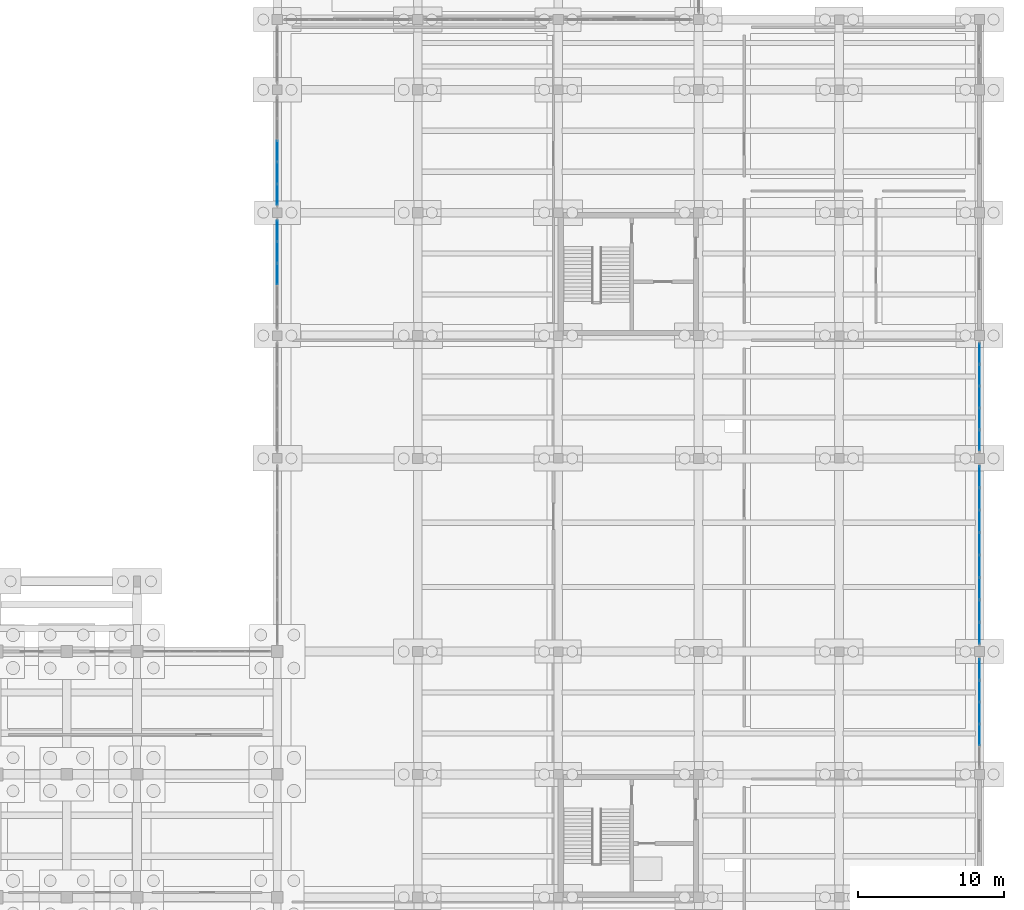
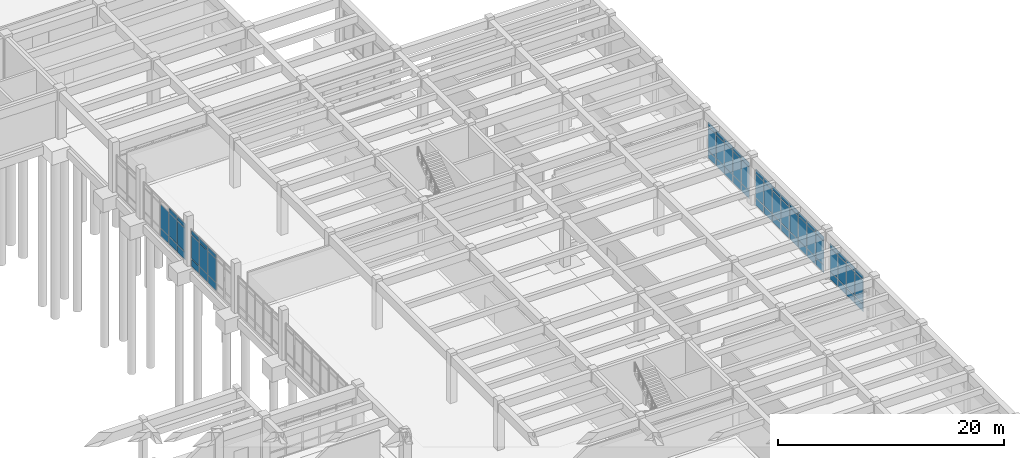
# One storey, part 64 of 102: 68 plates, 5 elements without a shape of their own.
"""IFC4 building model written with IfcOpenShell, lengths in metres."""

from ifc_helpers import new_model, si_unit, direction, frame, origin, origin_2d, place, context, subcontext, project, spatial, rectangle, extrude, material, layer, layer_set, type_object, element, aggregate, save


model = new_model("IFC4")

# Units and contexts
model_context = context("Model", 3, precision=1e-05, world=origin(), true_north=direction((0.0, 1.0)))
body_context = subcontext(model_context, "Body", "Model", "MODEL_VIEW")
ifc_project = project(units=[si_unit("LENGTHUNIT", "METRE"), si_unit("AREAUNIT", "SQUARE_METRE"), si_unit("VOLUMEUNIT", "CUBIC_METRE"), si_unit("PLANEANGLEUNIT", "RADIAN"), si_unit("MASSUNIT", "GRAM", prefix="KILO")], contexts=[model_context])

# Site, building, storey
site_placement = place(None, origin())
site = spatial("IfcSite", under=ifc_project, at=site_placement, CompositionType="ELEMENT")
building_placement = place(site_placement, origin())
building = spatial("IfcBuilding", under=site, at=building_placement, Name="Kolvemor Railside Polytechnic", CompositionType="ELEMENT")
storey_placement = place(building_placement, origin())
storey = spatial("IfcBuildingStorey", under=building, at=storey_placement, Name="L00", CompositionType="ELEMENT", Elevation=0.0)

# Curtain wall, plates
ifc_material_1 = material(Name="Anodised marine aluminium and laminated low-E glass", Category="aluminium")
ifc_layer_1 = layer(ifc_material_1, 0.179931640625, Name="CW-UNIT-STD")
ifc_layer_set_1 = layer_set([ifc_layer_1], Name="Anodised marine aluminium and laminated low-E glass")
curtain_wall_type = type_object("IfcCurtainWallType", Name="CW-UNIT-STD", PredefinedType="USERDEFINED", material=ifc_layer_set_1)
curtain_wall_1_placement = place(storey_placement, origin())
curtain_wall_1 = element("IfcCurtainWall", 1, at=curtain_wall_1_placement, inside=storey, type_object=curtain_wall_type, Name="Curtain Wall L00-049", ObjectType="UNITISED CURTAIN WALL", PredefinedType="USERDEFINED")
ifc_material_2 = material(Name="Hurricane-laminated solar-control low-E glass", Category="glass")
ifc_layer_2 = layer(ifc_material_2, 0.0400390625, Name="CWP-GLZ-10")
ifc_layer_set_2 = layer_set([ifc_layer_2], Name="Hurricane-laminated solar-control low-E glass")
plate_type_1 = type_object("IfcPlateType", Name="CWP-GLZ-10", PredefinedType="CURTAIN_PANEL", material=ifc_layer_set_2)
plate_1_placement = place(storey_placement, frame((182.39990234375, 32.7080078125, 0.074951171875), z_axis=(0.0, 0.0, 1.0), x_axis=(0.0, 1.0, 0.0)))
plate_1 = element("IfcPlate", 2, at=plate_1_placement, type_object=plate_type_1, Name="CW-STD panel 2.1", PredefinedType="CURTAIN_PANEL", context=body_context, shape_type="SweptSolid", body=[
    extrude(rectangle(XDim=1.4169921875, YDim=0.0400390625, at=origin_2d()), origin(), (0.0, 0.0, 1.0), 0.78759765625),
])
plate_2_placement = place(storey_placement, frame((182.39990234375, 32.7080078125, 0.9375), z_axis=(0.0, 0.0, 1.0), x_axis=(0.0, 1.0, 0.0)))
plate_2 = element("IfcPlate", 3, at=plate_2_placement, type_object=plate_type_1, Name="CW-STD panel 2.2", PredefinedType="CURTAIN_PANEL", context=body_context, shape_type="SweptSolid", body=[
    extrude(rectangle(XDim=1.4169921875, YDim=0.0400390625, at=origin_2d()), origin(), (0.0, 0.0, 1.0), 2.514892578125),
])
plate_3_placement = place(storey_placement, frame((182.39990234375, 32.7080078125, 3.527587890625), z_axis=(0.0, 0.0, 1.0), x_axis=(0.0, 1.0, 0.0)))
plate_3 = element("IfcPlate", 4, at=plate_3_placement, type_object=plate_type_1, Name="CW-STD panel 2.3", PredefinedType="CURTAIN_PANEL", context=body_context, shape_type="SweptSolid", body=[
    extrude(rectangle(XDim=1.4169921875, YDim=0.0400390625, at=origin_2d()), origin(), (0.0, 0.0, 1.0), 0.4375),
])
plate_4_placement = place(storey_placement, frame((182.39990234375, 34.199951171875, 0.074951171875), z_axis=(0.0, 0.0, 1.0), x_axis=(0.0, 1.0, 0.0)))
plate_4 = element("IfcPlate", 5, at=plate_4_placement, type_object=plate_type_1, Name="CW-STD panel 3.1", PredefinedType="CURTAIN_PANEL", context=body_context, shape_type="SweptSolid", body=[
    extrude(rectangle(XDim=1.4169921875, YDim=0.0400390625, at=origin_2d()), origin(), (0.0, 0.0, 1.0), 0.78759765625),
])
plate_5_placement = place(storey_placement, frame((182.39990234375, 34.199951171875, 0.9375), z_axis=(0.0, 0.0, 1.0), x_axis=(0.0, 1.0, 0.0)))
plate_5 = element("IfcPlate", 6, at=plate_5_placement, type_object=plate_type_1, Name="CW-STD panel 3.2", PredefinedType="CURTAIN_PANEL", context=body_context, shape_type="SweptSolid", body=[
    extrude(rectangle(XDim=1.4169921875, YDim=0.0400390625, at=origin_2d()), origin(), (0.0, 0.0, 1.0), 2.514892578125),
])
plate_6_placement = place(storey_placement, frame((182.39990234375, 34.199951171875, 3.527587890625), z_axis=(0.0, 0.0, 1.0), x_axis=(0.0, 1.0, 0.0)))
plate_6 = element("IfcPlate", 7, at=plate_6_placement, type_object=plate_type_1, Name="CW-STD panel 3.3", PredefinedType="CURTAIN_PANEL", context=body_context, shape_type="SweptSolid", body=[
    extrude(rectangle(XDim=1.4169921875, YDim=0.0400390625, at=origin_2d()), origin(), (0.0, 0.0, 1.0), 0.4375),
])
plate_7_placement = place(storey_placement, frame((182.39990234375, 35.69189453125, 0.074951171875), z_axis=(0.0, 0.0, 1.0), x_axis=(0.0, 1.0, 0.0)))
plate_7 = element("IfcPlate", 8, at=plate_7_placement, type_object=plate_type_1, Name="CW-STD panel 4.1", PredefinedType="CURTAIN_PANEL", context=body_context, shape_type="SweptSolid", body=[
    extrude(rectangle(XDim=1.4169921875, YDim=0.0400390625, at=origin_2d()), origin(), (0.0, 0.0, 1.0), 0.78759765625),
])
plate_8_placement = place(storey_placement, frame((182.39990234375, 35.69189453125, 0.9375), z_axis=(0.0, 0.0, 1.0), x_axis=(0.0, 1.0, 0.0)))
plate_8 = element("IfcPlate", 9, at=plate_8_placement, type_object=plate_type_1, Name="CW-STD panel 4.2", PredefinedType="CURTAIN_PANEL", context=body_context, shape_type="SweptSolid", body=[
    extrude(rectangle(XDim=1.4169921875, YDim=0.0400390625, at=origin_2d()), origin(), (0.0, 0.0, 1.0), 2.514892578125),
])
plate_9_placement = place(storey_placement, frame((182.39990234375, 35.69189453125, 3.527587890625), z_axis=(0.0, 0.0, 1.0), x_axis=(0.0, 1.0, 0.0)))
plate_9 = element("IfcPlate", 10, at=plate_9_placement, type_object=plate_type_1, Name="CW-STD panel 4.3", PredefinedType="CURTAIN_PANEL", context=body_context, shape_type="SweptSolid", body=[
    extrude(rectangle(XDim=1.4169921875, YDim=0.0400390625, at=origin_2d()), origin(), (0.0, 0.0, 1.0), 0.4375),
])
plate_10_placement = place(storey_placement, frame((182.39990234375, 37.165283203125, 0.074951171875), z_axis=(0.0, 0.0, 1.0), x_axis=(0.0, 1.0, 0.0)))
plate_10 = element("IfcPlate", 11, at=plate_10_placement, type_object=plate_type_1, Name="CW-STD panel 5.1", PredefinedType="CURTAIN_PANEL", context=body_context, shape_type="SweptSolid", body=[
    extrude(rectangle(XDim=1.37939453125, YDim=0.0400390625, at=origin_2d()), origin(), (0.0, 0.0, 1.0), 0.78759765625),
])
plate_11_placement = place(storey_placement, frame((182.39990234375, 37.165283203125, 0.9375), z_axis=(0.0, 0.0, 1.0), x_axis=(0.0, 1.0, 0.0)))
plate_11 = element("IfcPlate", 12, at=plate_11_placement, type_object=plate_type_1, Name="CW-STD panel 5.2", PredefinedType="CURTAIN_PANEL", context=body_context, shape_type="SweptSolid", body=[
    extrude(rectangle(XDim=1.37939453125, YDim=0.0400390625, at=origin_2d()), origin(), (0.0, 0.0, 1.0), 2.514892578125),
])
plate_12_placement = place(storey_placement, frame((182.39990234375, 37.165283203125, 3.527587890625), z_axis=(0.0, 0.0, 1.0), x_axis=(0.0, 1.0, 0.0)))
plate_12 = element("IfcPlate", 13, at=plate_12_placement, type_object=plate_type_1, Name="CW-STD panel 5.3", PredefinedType="CURTAIN_PANEL", context=body_context, shape_type="SweptSolid", body=[
    extrude(rectangle(XDim=1.37939453125, YDim=0.0400390625, at=origin_2d()), origin(), (0.0, 0.0, 1.0), 0.4375),
])
aggregate(curtain_wall_1, [plate_1, plate_2, plate_3, plate_4, plate_5, plate_6, plate_7, plate_8, plate_9, plate_10, plate_11, plate_12])

curtain_wall_2_placement = place(storey_placement, origin())
curtain_wall_2 = element("IfcCurtainWall", 14, at=curtain_wall_2_placement, inside=storey, type_object=curtain_wall_type, Name="Curtain Wall L00-059", ObjectType="UNITISED CURTAIN WALL", PredefinedType="USERDEFINED")
ifc_material_3 = material(Name="Hurricane-laminated solar-control low-E glass", Category="glass")
ifc_layer_3 = layer(ifc_material_3, 0.0419921875, Name="CWP-GLZ-11")
ifc_layer_set_3 = layer_set([ifc_layer_3], Name="Hurricane-laminated solar-control low-E glass")
plate_type_2 = type_object("IfcPlateType", Name="CWP-GLZ-11", PredefinedType="CURTAIN_PANEL", material=ifc_layer_set_3)
plate_13_placement = place(storey_placement, frame((182.39990234375, 39.655029296875, 0.074951171875), z_axis=(0.0, 0.0, 1.0), x_axis=(0.0, 1.0, 0.0)))
plate_13 = element("IfcPlate", 15, at=plate_13_placement, type_object=plate_type_2, Name="CW-STD panel 1.1", PredefinedType="CURTAIN_PANEL", context=body_context, shape_type="SweptSolid", body=[
    extrude(rectangle(XDim=1.419921875, YDim=0.0419921875, at=origin_2d()), origin(), (0.0, 0.0, 1.0), 0.78759765625),
])
plate_14_placement = place(storey_placement, frame((182.39990234375, 39.655029296875, 0.9375), z_axis=(0.0, 0.0, 1.0), x_axis=(0.0, 1.0, 0.0)))
plate_14 = element("IfcPlate", 16, at=plate_14_placement, type_object=plate_type_2, Name="CW-STD panel 1.2", PredefinedType="CURTAIN_PANEL", context=body_context, shape_type="SweptSolid", body=[
    extrude(rectangle(XDim=1.419921875, YDim=0.0419921875, at=origin_2d()), origin(), (0.0, 0.0, 1.0), 2.514892578125),
])
plate_15_placement = place(storey_placement, frame((182.39990234375, 39.655029296875, 3.527587890625), z_axis=(0.0, 0.0, 1.0), x_axis=(0.0, 1.0, 0.0)))
plate_15 = element("IfcPlate", 17, at=plate_15_placement, type_object=plate_type_2, Name="CW-STD panel 1.3", PredefinedType="CURTAIN_PANEL", context=body_context, shape_type="SweptSolid", body=[
    extrude(rectangle(XDim=1.419921875, YDim=0.0419921875, at=origin_2d()), origin(), (0.0, 0.0, 1.0), 0.4375),
])
plate_16_placement = place(storey_placement, frame((182.39990234375, 41.168701171875, 0.074951171875), z_axis=(0.0, 0.0, 1.0), x_axis=(0.0, 1.0, 0.0)))
plate_16 = element("IfcPlate", 18, at=plate_16_placement, type_object=plate_type_2, Name="CW-STD panel 2.1", PredefinedType="CURTAIN_PANEL", context=body_context, shape_type="SweptSolid", body=[
    extrude(rectangle(XDim=1.45751953125, YDim=0.0419921875, at=origin_2d()), origin(), (0.0, 0.0, 1.0), 0.78759765625),
])
plate_17_placement = place(storey_placement, frame((182.39990234375, 41.168701171875, 0.9375), z_axis=(0.0, 0.0, 1.0), x_axis=(0.0, 1.0, 0.0)))
plate_17 = element("IfcPlate", 19, at=plate_17_placement, type_object=plate_type_2, Name="CW-STD panel 2.2", PredefinedType="CURTAIN_PANEL", context=body_context, shape_type="SweptSolid", body=[
    extrude(rectangle(XDim=1.45751953125, YDim=0.0419921875, at=origin_2d()), origin(), (0.0, 0.0, 1.0), 2.514892578125),
])
plate_18_placement = place(storey_placement, frame((182.39990234375, 41.168701171875, 3.527587890625), z_axis=(0.0, 0.0, 1.0), x_axis=(0.0, 1.0, 0.0)))
plate_18 = element("IfcPlate", 20, at=plate_18_placement, type_object=plate_type_2, Name="CW-STD panel 2.3", PredefinedType="CURTAIN_PANEL", context=body_context, shape_type="SweptSolid", body=[
    extrude(rectangle(XDim=1.45751953125, YDim=0.0419921875, at=origin_2d()), origin(), (0.0, 0.0, 1.0), 0.4375),
])
plate_19_placement = place(storey_placement, frame((182.39990234375, 42.701171875, 0.074951171875), z_axis=(0.0, 0.0, 1.0), x_axis=(0.0, 1.0, 0.0)))
plate_19 = element("IfcPlate", 21, at=plate_19_placement, type_object=plate_type_2, Name="CW-STD panel 3.1", PredefinedType="CURTAIN_PANEL", context=body_context, shape_type="SweptSolid", body=[
    extrude(rectangle(XDim=1.45751953125, YDim=0.0419921875, at=origin_2d()), origin(), (0.0, 0.0, 1.0), 0.78759765625),
])
plate_20_placement = place(storey_placement, frame((182.39990234375, 42.701171875, 0.9375), z_axis=(0.0, 0.0, 1.0), x_axis=(0.0, 1.0, 0.0)))
plate_20 = element("IfcPlate", 22, at=plate_20_placement, type_object=plate_type_2, Name="CW-STD panel 3.2", PredefinedType="CURTAIN_PANEL", context=body_context, shape_type="SweptSolid", body=[
    extrude(rectangle(XDim=1.45751953125, YDim=0.0419921875, at=origin_2d()), origin(), (0.0, 0.0, 1.0), 2.514892578125),
])
plate_21_placement = place(storey_placement, frame((182.39990234375, 42.701171875, 3.527587890625), z_axis=(0.0, 0.0, 1.0), x_axis=(0.0, 1.0, 0.0)))
plate_21 = element("IfcPlate", 23, at=plate_21_placement, type_object=plate_type_2, Name="CW-STD panel 3.3", PredefinedType="CURTAIN_PANEL", context=body_context, shape_type="SweptSolid", body=[
    extrude(rectangle(XDim=1.45751953125, YDim=0.0419921875, at=origin_2d()), origin(), (0.0, 0.0, 1.0), 0.4375),
])
plate_22_placement = place(storey_placement, frame((182.39990234375, 44.233642578125, 0.074951171875), z_axis=(0.0, 0.0, 1.0), x_axis=(0.0, 1.0, 0.0)))
plate_22 = element("IfcPlate", 24, at=plate_22_placement, type_object=plate_type_2, Name="CW-STD panel 4.1", PredefinedType="CURTAIN_PANEL", context=body_context, shape_type="SweptSolid", body=[
    extrude(rectangle(XDim=1.45751953125, YDim=0.0419921875, at=origin_2d()), origin(), (0.0, 0.0, 1.0), 0.78759765625),
])
plate_23_placement = place(storey_placement, frame((182.39990234375, 44.233642578125, 0.9375), z_axis=(0.0, 0.0, 1.0), x_axis=(0.0, 1.0, 0.0)))
plate_23 = element("IfcPlate", 25, at=plate_23_placement, type_object=plate_type_2, Name="CW-STD panel 4.2", PredefinedType="CURTAIN_PANEL", context=body_context, shape_type="SweptSolid", body=[
    extrude(rectangle(XDim=1.45751953125, YDim=0.0419921875, at=origin_2d()), origin(), (0.0, 0.0, 1.0), 2.514892578125),
])
plate_24_placement = place(storey_placement, frame((182.39990234375, 44.233642578125, 3.527587890625), z_axis=(0.0, 0.0, 1.0), x_axis=(0.0, 1.0, 0.0)))
plate_24 = element("IfcPlate", 26, at=plate_24_placement, type_object=plate_type_2, Name="CW-STD panel 4.3", PredefinedType="CURTAIN_PANEL", context=body_context, shape_type="SweptSolid", body=[
    extrude(rectangle(XDim=1.45751953125, YDim=0.0419921875, at=origin_2d()), origin(), (0.0, 0.0, 1.0), 0.4375),
])
plate_25_placement = place(storey_placement, frame((182.39990234375, 45.766357421875, 0.074951171875), z_axis=(0.0, 0.0, 1.0), x_axis=(0.0, 1.0, 0.0)))
plate_25 = element("IfcPlate", 27, at=plate_25_placement, type_object=plate_type_2, Name="CW-STD panel 5.1", PredefinedType="CURTAIN_PANEL", context=body_context, shape_type="SweptSolid", body=[
    extrude(rectangle(XDim=1.45751953125, YDim=0.0419921875, at=origin_2d()), origin(), (0.0, 0.0, 1.0), 0.78759765625),
])
plate_26_placement = place(storey_placement, frame((182.39990234375, 45.766357421875, 0.9375), z_axis=(0.0, 0.0, 1.0), x_axis=(0.0, 1.0, 0.0)))
plate_26 = element("IfcPlate", 28, at=plate_26_placement, type_object=plate_type_2, Name="CW-STD panel 5.2", PredefinedType="CURTAIN_PANEL", context=body_context, shape_type="SweptSolid", body=[
    extrude(rectangle(XDim=1.45751953125, YDim=0.0419921875, at=origin_2d()), origin(), (0.0, 0.0, 1.0), 2.514892578125),
])
plate_27_placement = place(storey_placement, frame((182.39990234375, 45.766357421875, 3.527587890625), z_axis=(0.0, 0.0, 1.0), x_axis=(0.0, 1.0, 0.0)))
plate_27 = element("IfcPlate", 29, at=plate_27_placement, type_object=plate_type_2, Name="CW-STD panel 5.3", PredefinedType="CURTAIN_PANEL", context=body_context, shape_type="SweptSolid", body=[
    extrude(rectangle(XDim=1.45751953125, YDim=0.0419921875, at=origin_2d()), origin(), (0.0, 0.0, 1.0), 0.4375),
])
plate_28_placement = place(storey_placement, frame((182.39990234375, 47.298828125, 0.074951171875), z_axis=(0.0, 0.0, 1.0), x_axis=(0.0, 1.0, 0.0)))
plate_28 = element("IfcPlate", 30, at=plate_28_placement, type_object=plate_type_2, Name="CW-STD panel 6.1", PredefinedType="CURTAIN_PANEL", context=body_context, shape_type="SweptSolid", body=[
    extrude(rectangle(XDim=1.45751953125, YDim=0.0419921875, at=origin_2d()), origin(), (0.0, 0.0, 1.0), 0.78759765625),
])
plate_29_placement = place(storey_placement, frame((182.39990234375, 47.298828125, 0.9375), z_axis=(0.0, 0.0, 1.0), x_axis=(0.0, 1.0, 0.0)))
plate_29 = element("IfcPlate", 31, at=plate_29_placement, type_object=plate_type_2, Name="CW-STD panel 6.2", PredefinedType="CURTAIN_PANEL", context=body_context, shape_type="SweptSolid", body=[
    extrude(rectangle(XDim=1.45751953125, YDim=0.0419921875, at=origin_2d()), origin(), (0.0, 0.0, 1.0), 2.514892578125),
])
plate_30_placement = place(storey_placement, frame((182.39990234375, 47.298828125, 3.527587890625), z_axis=(0.0, 0.0, 1.0), x_axis=(0.0, 1.0, 0.0)))
plate_30 = element("IfcPlate", 32, at=plate_30_placement, type_object=plate_type_2, Name="CW-STD panel 6.3", PredefinedType="CURTAIN_PANEL", context=body_context, shape_type="SweptSolid", body=[
    extrude(rectangle(XDim=1.45751953125, YDim=0.0419921875, at=origin_2d()), origin(), (0.0, 0.0, 1.0), 0.4375),
])
plate_31_placement = place(storey_placement, frame((182.39990234375, 48.831298828125, 0.074951171875), z_axis=(0.0, 0.0, 1.0), x_axis=(0.0, 1.0, 0.0)))
plate_31 = element("IfcPlate", 33, at=plate_31_placement, type_object=plate_type_2, Name="CW-STD panel 7.1", PredefinedType="CURTAIN_PANEL", context=body_context, shape_type="SweptSolid", body=[
    extrude(rectangle(XDim=1.45751953125, YDim=0.0419921875, at=origin_2d()), origin(), (0.0, 0.0, 1.0), 0.78759765625),
])
plate_32_placement = place(storey_placement, frame((182.39990234375, 48.831298828125, 0.9375), z_axis=(0.0, 0.0, 1.0), x_axis=(0.0, 1.0, 0.0)))
plate_32 = element("IfcPlate", 34, at=plate_32_placement, type_object=plate_type_2, Name="CW-STD panel 7.2", PredefinedType="CURTAIN_PANEL", context=body_context, shape_type="SweptSolid", body=[
    extrude(rectangle(XDim=1.45751953125, YDim=0.0419921875, at=origin_2d()), origin(), (0.0, 0.0, 1.0), 2.514892578125),
])
plate_33_placement = place(storey_placement, frame((182.39990234375, 48.831298828125, 3.527587890625), z_axis=(0.0, 0.0, 1.0), x_axis=(0.0, 1.0, 0.0)))
plate_33 = element("IfcPlate", 35, at=plate_33_placement, type_object=plate_type_2, Name="CW-STD panel 7.3", PredefinedType="CURTAIN_PANEL", context=body_context, shape_type="SweptSolid", body=[
    extrude(rectangle(XDim=1.45751953125, YDim=0.0419921875, at=origin_2d()), origin(), (0.0, 0.0, 1.0), 0.4375),
])
plate_34_placement = place(storey_placement, frame((182.39990234375, 50.344970703125, 0.074951171875), z_axis=(0.0, 0.0, 1.0), x_axis=(0.0, 1.0, 0.0)))
plate_34 = element("IfcPlate", 36, at=plate_34_placement, type_object=plate_type_2, Name="CW-STD panel 8.1", PredefinedType="CURTAIN_PANEL", context=body_context, shape_type="SweptSolid", body=[
    extrude(rectangle(XDim=1.419921875, YDim=0.0419921875, at=origin_2d()), origin(), (0.0, 0.0, 1.0), 0.78759765625),
])
plate_35_placement = place(storey_placement, frame((182.39990234375, 50.344970703125, 0.9375), z_axis=(0.0, 0.0, 1.0), x_axis=(0.0, 1.0, 0.0)))
plate_35 = element("IfcPlate", 37, at=plate_35_placement, type_object=plate_type_2, Name="CW-STD panel 8.2", PredefinedType="CURTAIN_PANEL", context=body_context, shape_type="SweptSolid", body=[
    extrude(rectangle(XDim=1.419921875, YDim=0.0419921875, at=origin_2d()), origin(), (0.0, 0.0, 1.0), 2.514892578125),
])
plate_36_placement = place(storey_placement, frame((182.39990234375, 50.344970703125, 3.527587890625), z_axis=(0.0, 0.0, 1.0), x_axis=(0.0, 1.0, 0.0)))
plate_36 = element("IfcPlate", 38, at=plate_36_placement, type_object=plate_type_2, Name="CW-STD panel 8.3", PredefinedType="CURTAIN_PANEL", context=body_context, shape_type="SweptSolid", body=[
    extrude(rectangle(XDim=1.419921875, YDim=0.0419921875, at=origin_2d()), origin(), (0.0, 0.0, 1.0), 0.4375),
])
aggregate(curtain_wall_2, [plate_13, plate_14, plate_15, plate_16, plate_17, plate_18, plate_19, plate_20, plate_21, plate_22, plate_23, plate_24, plate_25, plate_26, plate_27, plate_28, plate_29, plate_30, plate_31, plate_32, plate_33, plate_34, plate_35, plate_36])

curtain_wall_3_placement = place(storey_placement, origin())
curtain_wall_3 = element("IfcCurtainWall", 39, at=curtain_wall_3_placement, inside=storey, type_object=curtain_wall_type, Name="Curtain Wall L00-069", ObjectType="UNITISED CURTAIN WALL", PredefinedType="USERDEFINED")
ifc_material_4 = material(Name="Hurricane-laminated solar-control low-E glass", Category="glass")
ifc_layer_4 = layer(ifc_material_4, 0.0439453125, Name="CWP-GLZ-12")
ifc_layer_set_4 = layer_set([ifc_layer_4], Name="Hurricane-laminated solar-control low-E glass")
plate_type_3 = type_object("IfcPlateType", Name="CWP-GLZ-12", PredefinedType="CURTAIN_PANEL", material=ifc_layer_set_4)
plate_37_placement = place(storey_placement, frame((182.39990234375, 52.834716796875, 0.074951171875), z_axis=(0.0, 0.0, 1.0), x_axis=(0.0, 1.0, 0.0)))
plate_37 = element("IfcPlate", 40, at=plate_37_placement, type_object=plate_type_3, Name="CW-STD panel 1.1", PredefinedType="CURTAIN_PANEL", context=body_context, shape_type="SweptSolid", body=[
    extrude(rectangle(XDim=1.37939453125, YDim=0.0439453125, at=origin_2d()), origin(), (0.0, 0.0, 1.0), 0.78759765625),
])
plate_38_placement = place(storey_placement, frame((182.39990234375, 52.834716796875, 0.9375), z_axis=(0.0, 0.0, 1.0), x_axis=(0.0, 1.0, 0.0)))
plate_38 = element("IfcPlate", 41, at=plate_38_placement, type_object=plate_type_3, Name="CW-STD panel 1.2", PredefinedType="CURTAIN_PANEL", context=body_context, shape_type="SweptSolid", body=[
    extrude(rectangle(XDim=1.37939453125, YDim=0.0439453125, at=origin_2d()), origin(), (0.0, 0.0, 1.0), 2.514892578125),
])
plate_39_placement = place(storey_placement, frame((182.39990234375, 52.834716796875, 3.527587890625), z_axis=(0.0, 0.0, 1.0), x_axis=(0.0, 1.0, 0.0)))
plate_39 = element("IfcPlate", 42, at=plate_39_placement, type_object=plate_type_3, Name="CW-STD panel 1.3", PredefinedType="CURTAIN_PANEL", context=body_context, shape_type="SweptSolid", body=[
    extrude(rectangle(XDim=1.37939453125, YDim=0.0439453125, at=origin_2d()), origin(), (0.0, 0.0, 1.0), 0.4375),
])
plate_40_placement = place(storey_placement, frame((182.39990234375, 54.30810546875, 0.074951171875), z_axis=(0.0, 0.0, 1.0), x_axis=(0.0, 1.0, 0.0)))
plate_40 = element("IfcPlate", 43, at=plate_40_placement, type_object=plate_type_3, Name="CW-STD panel 2.1", PredefinedType="CURTAIN_PANEL", context=body_context, shape_type="SweptSolid", body=[
    extrude(rectangle(XDim=1.4169921875, YDim=0.0439453125, at=origin_2d()), origin(), (0.0, 0.0, 1.0), 0.78759765625),
])
plate_41_placement = place(storey_placement, frame((182.39990234375, 54.30810546875, 0.9375), z_axis=(0.0, 0.0, 1.0), x_axis=(0.0, 1.0, 0.0)))
plate_41 = element("IfcPlate", 44, at=plate_41_placement, type_object=plate_type_3, Name="CW-STD panel 2.2", PredefinedType="CURTAIN_PANEL", context=body_context, shape_type="SweptSolid", body=[
    extrude(rectangle(XDim=1.4169921875, YDim=0.0439453125, at=origin_2d()), origin(), (0.0, 0.0, 1.0), 2.514892578125),
])
plate_42_placement = place(storey_placement, frame((182.39990234375, 54.30810546875, 3.527587890625), z_axis=(0.0, 0.0, 1.0), x_axis=(0.0, 1.0, 0.0)))
plate_42 = element("IfcPlate", 45, at=plate_42_placement, type_object=plate_type_3, Name="CW-STD panel 2.3", PredefinedType="CURTAIN_PANEL", context=body_context, shape_type="SweptSolid", body=[
    extrude(rectangle(XDim=1.4169921875, YDim=0.0439453125, at=origin_2d()), origin(), (0.0, 0.0, 1.0), 0.4375),
])
plate_43_placement = place(storey_placement, frame((182.39990234375, 55.800048828125, 0.074951171875), z_axis=(0.0, 0.0, 1.0), x_axis=(0.0, 1.0, 0.0)))
plate_43 = element("IfcPlate", 46, at=plate_43_placement, type_object=plate_type_3, Name="CW-STD panel 3.1", PredefinedType="CURTAIN_PANEL", context=body_context, shape_type="SweptSolid", body=[
    extrude(rectangle(XDim=1.4169921875, YDim=0.0439453125, at=origin_2d()), origin(), (0.0, 0.0, 1.0), 0.78759765625),
])
plate_44_placement = place(storey_placement, frame((182.39990234375, 55.800048828125, 0.9375), z_axis=(0.0, 0.0, 1.0), x_axis=(0.0, 1.0, 0.0)))
plate_44 = element("IfcPlate", 47, at=plate_44_placement, type_object=plate_type_3, Name="CW-STD panel 3.2", PredefinedType="CURTAIN_PANEL", context=body_context, shape_type="SweptSolid", body=[
    extrude(rectangle(XDim=1.4169921875, YDim=0.0439453125, at=origin_2d()), origin(), (0.0, 0.0, 1.0), 2.514892578125),
])
plate_45_placement = place(storey_placement, frame((182.39990234375, 55.800048828125, 3.527587890625), z_axis=(0.0, 0.0, 1.0), x_axis=(0.0, 1.0, 0.0)))
plate_45 = element("IfcPlate", 48, at=plate_45_placement, type_object=plate_type_3, Name="CW-STD panel 3.3", PredefinedType="CURTAIN_PANEL", context=body_context, shape_type="SweptSolid", body=[
    extrude(rectangle(XDim=1.4169921875, YDim=0.0439453125, at=origin_2d()), origin(), (0.0, 0.0, 1.0), 0.4375),
])
plate_46_placement = place(storey_placement, frame((182.39990234375, 57.2919921875, 0.074951171875), z_axis=(0.0, 0.0, 1.0), x_axis=(0.0, 1.0, 0.0)))
plate_46 = element("IfcPlate", 49, at=plate_46_placement, type_object=plate_type_3, Name="CW-STD panel 4.1", PredefinedType="CURTAIN_PANEL", context=body_context, shape_type="SweptSolid", body=[
    extrude(rectangle(XDim=1.4169921875, YDim=0.0439453125, at=origin_2d()), origin(), (0.0, 0.0, 1.0), 0.78759765625),
])
plate_47_placement = place(storey_placement, frame((182.39990234375, 57.2919921875, 0.9375), z_axis=(0.0, 0.0, 1.0), x_axis=(0.0, 1.0, 0.0)))
plate_47 = element("IfcPlate", 50, at=plate_47_placement, type_object=plate_type_3, Name="CW-STD panel 4.2", PredefinedType="CURTAIN_PANEL", context=body_context, shape_type="SweptSolid", body=[
    extrude(rectangle(XDim=1.4169921875, YDim=0.0439453125, at=origin_2d()), origin(), (0.0, 0.0, 1.0), 2.514892578125),
])
plate_48_placement = place(storey_placement, frame((182.39990234375, 57.2919921875, 3.527587890625), z_axis=(0.0, 0.0, 1.0), x_axis=(0.0, 1.0, 0.0)))
plate_48 = element("IfcPlate", 51, at=plate_48_placement, type_object=plate_type_3, Name="CW-STD panel 4.3", PredefinedType="CURTAIN_PANEL", context=body_context, shape_type="SweptSolid", body=[
    extrude(rectangle(XDim=1.4169921875, YDim=0.0439453125, at=origin_2d()), origin(), (0.0, 0.0, 1.0), 0.4375),
])
plate_49_placement = place(storey_placement, frame((182.39990234375, 58.76513671875, 0.074951171875), z_axis=(0.0, 0.0, 1.0), x_axis=(0.0, 1.0, 0.0)))
plate_49 = element("IfcPlate", 52, at=plate_49_placement, type_object=plate_type_3, Name="CW-STD panel 5.1", PredefinedType="CURTAIN_PANEL", context=body_context, shape_type="SweptSolid", body=[
    extrude(rectangle(XDim=1.37939453125, YDim=0.0439453125, at=origin_2d()), origin(), (0.0, 0.0, 1.0), 0.78759765625),
])
plate_50_placement = place(storey_placement, frame((182.39990234375, 58.76513671875, 0.9375), z_axis=(0.0, 0.0, 1.0), x_axis=(0.0, 1.0, 0.0)))
plate_50 = element("IfcPlate", 53, at=plate_50_placement, type_object=plate_type_3, Name="CW-STD panel 5.2", PredefinedType="CURTAIN_PANEL", context=body_context, shape_type="SweptSolid", body=[
    extrude(rectangle(XDim=1.37939453125, YDim=0.0439453125, at=origin_2d()), origin(), (0.0, 0.0, 1.0), 2.514892578125),
])
plate_51_placement = place(storey_placement, frame((182.39990234375, 58.76513671875, 3.527587890625), z_axis=(0.0, 0.0, 1.0), x_axis=(0.0, 1.0, 0.0)))
plate_51 = element("IfcPlate", 54, at=plate_51_placement, type_object=plate_type_3, Name="CW-STD panel 5.3", PredefinedType="CURTAIN_PANEL", context=body_context, shape_type="SweptSolid", body=[
    extrude(rectangle(XDim=1.37939453125, YDim=0.0439453125, at=origin_2d()), origin(), (0.0, 0.0, 1.0), 0.4375),
])
aggregate(curtain_wall_3, [plate_37, plate_38, plate_39, plate_40, plate_41, plate_42, plate_43, plate_44, plate_45, plate_46, plate_47, plate_48, plate_49, plate_50, plate_51])

curtain_wall_4_placement = place(storey_placement, origin())
curtain_wall_4 = element("IfcCurtainWall", 55, at=curtain_wall_4_placement, inside=storey, type_object=curtain_wall_type, Name="Curtain Wall L00-079", ObjectType="UNITISED CURTAIN WALL", PredefinedType="USERDEFINED")
ifc_material_5 = material(Name="Hurricane-laminated solar-control low-E glass", Category="glass")
ifc_layer_5 = layer(ifc_material_5, 0.050048828125, Name="CWP-GLZ-15")
ifc_layer_set_5 = layer_set([ifc_layer_5], Name="Hurricane-laminated solar-control low-E glass")
plate_type_4 = type_object("IfcPlateType", Name="CWP-GLZ-15", PredefinedType="CURTAIN_PANEL", material=ifc_layer_set_5)
plate_52_placement = place(storey_placement, frame((134.39990234375, 67.165283203125, 0.074951171875), z_axis=(0.0, 0.0, 1.0), x_axis=(0.0, -1.0, 0.0)))
plate_52 = element("IfcPlate", 56, at=plate_52_placement, type_object=plate_type_4, Name="CW-STD panel 1.1", PredefinedType="CURTAIN_PANEL", context=body_context, shape_type="SweptSolid", body=[
    extrude(rectangle(XDim=1.37939453125, YDim=0.050048828125, at=origin_2d()), origin(), (0.0, 0.0, 1.0), 0.78759765625),
])
plate_53_placement = place(storey_placement, frame((134.39990234375, 67.165283203125, 0.9375), z_axis=(0.0, 0.0, 1.0), x_axis=(0.0, -1.0, 0.0)))
plate_53 = element("IfcPlate", 57, at=plate_53_placement, type_object=plate_type_4, Name="CW-STD panel 1.2", PredefinedType="CURTAIN_PANEL", context=body_context, shape_type="SweptSolid", body=[
    extrude(rectangle(XDim=1.37939453125, YDim=0.050048828125, at=origin_2d()), origin(), (0.0, 0.0, 1.0), 2.514892578125),
])
plate_54_placement = place(storey_placement, frame((134.39990234375, 67.165283203125, 3.527587890625), z_axis=(0.0, 0.0, 1.0), x_axis=(0.0, -1.0, 0.0)))
plate_54 = element("IfcPlate", 58, at=plate_54_placement, type_object=plate_type_4, Name="CW-STD panel 1.3", PredefinedType="CURTAIN_PANEL", context=body_context, shape_type="SweptSolid", body=[
    extrude(rectangle(XDim=1.37939453125, YDim=0.050048828125, at=origin_2d()), origin(), (0.0, 0.0, 1.0), 0.4375),
])
plate_55_placement = place(storey_placement, frame((134.39990234375, 65.69189453125, 0.074951171875), z_axis=(0.0, 0.0, 1.0), x_axis=(0.0, -1.0, 0.0)))
plate_55 = element("IfcPlate", 59, at=plate_55_placement, type_object=plate_type_4, Name="CW-STD panel 2.1", PredefinedType="CURTAIN_PANEL", context=body_context, shape_type="SweptSolid", body=[
    extrude(rectangle(XDim=1.4169921875, YDim=0.050048828125, at=origin_2d()), origin(), (0.0, 0.0, 1.0), 0.78759765625),
])
plate_56_placement = place(storey_placement, frame((134.39990234375, 65.69189453125, 0.9375), z_axis=(0.0, 0.0, 1.0), x_axis=(0.0, -1.0, 0.0)))
plate_56 = element("IfcPlate", 60, at=plate_56_placement, type_object=plate_type_4, Name="CW-STD panel 2.2", PredefinedType="CURTAIN_PANEL", context=body_context, shape_type="SweptSolid", body=[
    extrude(rectangle(XDim=1.4169921875, YDim=0.050048828125, at=origin_2d()), origin(), (0.0, 0.0, 1.0), 2.514892578125),
])
plate_57_placement = place(storey_placement, frame((134.39990234375, 65.69189453125, 3.527587890625), z_axis=(0.0, 0.0, 1.0), x_axis=(0.0, -1.0, 0.0)))
plate_57 = element("IfcPlate", 61, at=plate_57_placement, type_object=plate_type_4, Name="CW-STD panel 2.3", PredefinedType="CURTAIN_PANEL", context=body_context, shape_type="SweptSolid", body=[
    extrude(rectangle(XDim=1.4169921875, YDim=0.050048828125, at=origin_2d()), origin(), (0.0, 0.0, 1.0), 0.4375),
])
plate_58_placement = place(storey_placement, frame((134.39990234375, 64.199951171875, 0.074951171875), z_axis=(0.0, 0.0, 1.0), x_axis=(0.0, -1.0, 0.0)))
plate_58 = element("IfcPlate", 62, at=plate_58_placement, type_object=plate_type_4, Name="CW-STD panel 3.1", PredefinedType="CURTAIN_PANEL", context=body_context, shape_type="SweptSolid", body=[
    extrude(rectangle(XDim=1.4169921875, YDim=0.050048828125, at=origin_2d()), origin(), (0.0, 0.0, 1.0), 0.78759765625),
])
plate_59_placement = place(storey_placement, frame((134.39990234375, 64.199951171875, 0.9375), z_axis=(0.0, 0.0, 1.0), x_axis=(0.0, -1.0, 0.0)))
plate_59 = element("IfcPlate", 63, at=plate_59_placement, type_object=plate_type_4, Name="CW-STD panel 3.2", PredefinedType="CURTAIN_PANEL", context=body_context, shape_type="SweptSolid", body=[
    extrude(rectangle(XDim=1.4169921875, YDim=0.050048828125, at=origin_2d()), origin(), (0.0, 0.0, 1.0), 2.514892578125),
])
plate_60_placement = place(storey_placement, frame((134.39990234375, 64.199951171875, 3.527587890625), z_axis=(0.0, 0.0, 1.0), x_axis=(0.0, -1.0, 0.0)))
plate_60 = element("IfcPlate", 64, at=plate_60_placement, type_object=plate_type_4, Name="CW-STD panel 3.3", PredefinedType="CURTAIN_PANEL", context=body_context, shape_type="SweptSolid", body=[
    extrude(rectangle(XDim=1.4169921875, YDim=0.050048828125, at=origin_2d()), origin(), (0.0, 0.0, 1.0), 0.4375),
])
aggregate(curtain_wall_4, [plate_52, plate_53, plate_54, plate_55, plate_56, plate_57, plate_58, plate_59, plate_60])

curtain_wall_5_placement = place(storey_placement, origin())
curtain_wall_5 = element("IfcCurtainWall", 65, at=curtain_wall_5_placement, inside=storey, type_object=curtain_wall_type, Name="Curtain Wall L00-086", ObjectType="UNITISED CURTAIN WALL", PredefinedType="USERDEFINED")
ifc_material_6 = material(Name="Hurricane-laminated solar-control low-E glass", Category="glass")
ifc_layer_6 = layer(ifc_material_6, 0.052001953125, Name="CWP-GLZ-16")
ifc_layer_set_6 = layer_set([ifc_layer_6], Name="Hurricane-laminated solar-control low-E glass")
plate_type_5 = type_object("IfcPlateType", Name="CWP-GLZ-16", PredefinedType="CURTAIN_PANEL", material=ifc_layer_set_6)
plate_61_placement = place(storey_placement, frame((134.39990234375, 72.60009765625, 0.074951171875), z_axis=(0.0, 0.0, 1.0), x_axis=(0.0, -1.0, 0.0)))
plate_61 = element("IfcPlate", 66, at=plate_61_placement, type_object=plate_type_5, Name="CW-STD panel 3.1", PredefinedType="CURTAIN_PANEL", context=body_context, shape_type="SweptSolid", body=[
    extrude(rectangle(XDim=1.4169921875, YDim=0.052001953125, at=origin_2d()), origin(), (0.0, 0.0, 1.0), 0.78759765625),
])
plate_62_placement = place(storey_placement, frame((134.39990234375, 72.60009765625, 0.9375), z_axis=(0.0, 0.0, 1.0), x_axis=(0.0, -1.0, 0.0)))
plate_62 = element("IfcPlate", 67, at=plate_62_placement, type_object=plate_type_5, Name="CW-STD panel 3.2", PredefinedType="CURTAIN_PANEL", context=body_context, shape_type="SweptSolid", body=[
    extrude(rectangle(XDim=1.4169921875, YDim=0.052001953125, at=origin_2d()), origin(), (0.0, 0.0, 1.0), 2.514892578125),
])
plate_63_placement = place(storey_placement, frame((134.39990234375, 71.10791015625, 0.074951171875), z_axis=(0.0, 0.0, 1.0), x_axis=(0.0, -1.0, 0.0)))
plate_63 = element("IfcPlate", 68, at=plate_63_placement, type_object=plate_type_5, Name="CW-STD panel 4.1", PredefinedType="CURTAIN_PANEL", context=body_context, shape_type="SweptSolid", body=[
    extrude(rectangle(XDim=1.4169921875, YDim=0.052001953125, at=origin_2d()), origin(), (0.0, 0.0, 1.0), 0.78759765625),
])
plate_64_placement = place(storey_placement, frame((134.39990234375, 71.10791015625, 0.9375), z_axis=(0.0, 0.0, 1.0), x_axis=(0.0, -1.0, 0.0)))
plate_64 = element("IfcPlate", 69, at=plate_64_placement, type_object=plate_type_5, Name="CW-STD panel 4.2", PredefinedType="CURTAIN_PANEL", context=body_context, shape_type="SweptSolid", body=[
    extrude(rectangle(XDim=1.4169921875, YDim=0.052001953125, at=origin_2d()), origin(), (0.0, 0.0, 1.0), 2.514892578125),
])
plate_65_placement = place(storey_placement, frame((134.39990234375, 71.10791015625, 3.527587890625), z_axis=(0.0, 0.0, 1.0), x_axis=(0.0, -1.0, 0.0)))
plate_65 = element("IfcPlate", 70, at=plate_65_placement, type_object=plate_type_5, Name="CW-STD panel 4.3", PredefinedType="CURTAIN_PANEL", context=body_context, shape_type="SweptSolid", body=[
    extrude(rectangle(XDim=1.4169921875, YDim=0.052001953125, at=origin_2d()), origin(), (0.0, 0.0, 1.0), 0.4375),
])
plate_66_placement = place(storey_placement, frame((134.39990234375, 69.634765625, 0.074951171875), z_axis=(0.0, 0.0, 1.0), x_axis=(0.0, -1.0, 0.0)))
plate_66 = element("IfcPlate", 71, at=plate_66_placement, type_object=plate_type_5, Name="CW-STD panel 5.1", PredefinedType="CURTAIN_PANEL", context=body_context, shape_type="SweptSolid", body=[
    extrude(rectangle(XDim=1.37939453125, YDim=0.052001953125, at=origin_2d()), origin(), (0.0, 0.0, 1.0), 0.78759765625),
])
plate_67_placement = place(storey_placement, frame((134.39990234375, 69.634765625, 0.9375), z_axis=(0.0, 0.0, 1.0), x_axis=(0.0, -1.0, 0.0)))
plate_67 = element("IfcPlate", 72, at=plate_67_placement, type_object=plate_type_5, Name="CW-STD panel 5.2", PredefinedType="CURTAIN_PANEL", context=body_context, shape_type="SweptSolid", body=[
    extrude(rectangle(XDim=1.37939453125, YDim=0.052001953125, at=origin_2d()), origin(), (0.0, 0.0, 1.0), 2.514892578125),
])
plate_68_placement = place(storey_placement, frame((134.39990234375, 69.634765625, 3.527587890625), z_axis=(0.0, 0.0, 1.0), x_axis=(0.0, -1.0, 0.0)))
plate_68 = element("IfcPlate", 73, at=plate_68_placement, type_object=plate_type_5, Name="CW-STD panel 5.3", PredefinedType="CURTAIN_PANEL", context=body_context, shape_type="SweptSolid", body=[
    extrude(rectangle(XDim=1.37939453125, YDim=0.052001953125, at=origin_2d()), origin(), (0.0, 0.0, 1.0), 0.4375),
])
aggregate(curtain_wall_5, [plate_61, plate_62, plate_63, plate_64, plate_65, plate_66, plate_67, plate_68])

save(model, "model.ifc")
